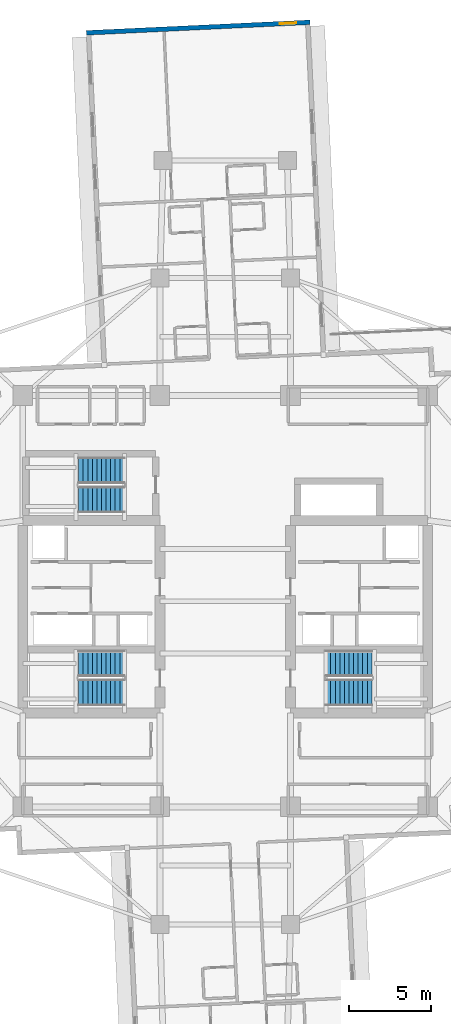
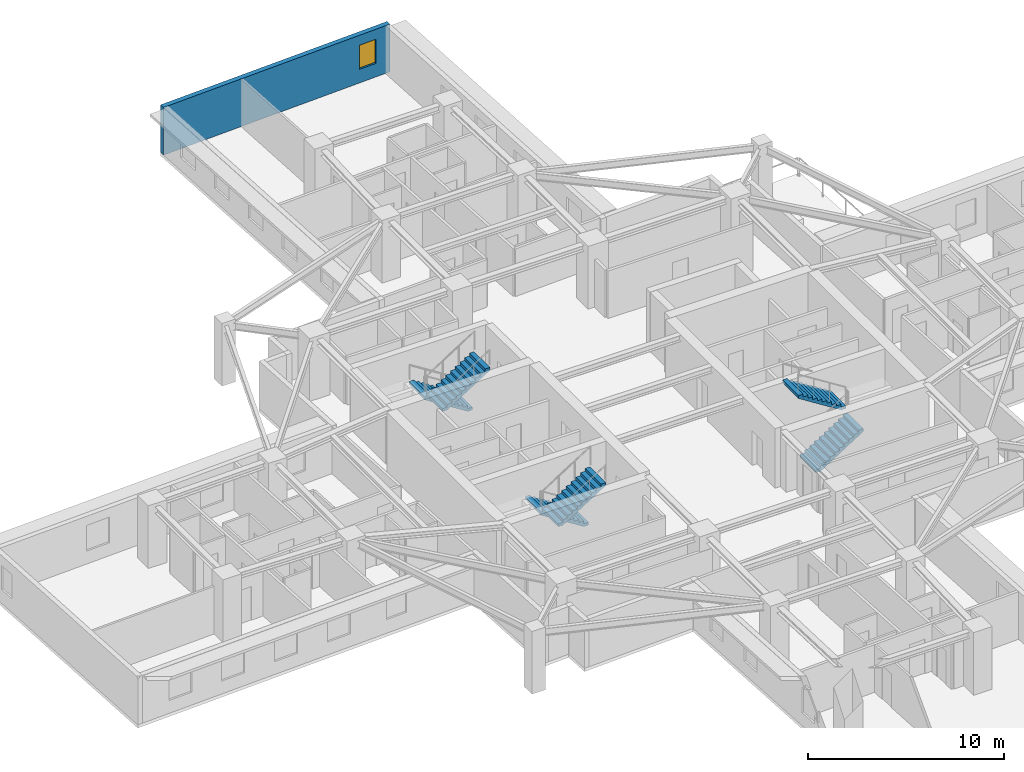
# One storey, part 9 of 14: 6 stair flights, 1 wall, 1 window, 1 opening, 3 elements without a shape of their own.
"""IFC4 building model written with IfcOpenShell, lengths in metres."""

from ifc_helpers import new_model, si_unit, direction, frame, frame_2d, origin, place, context, subcontext, project, spatial, polyline, rectangle, outline, extrude, material, layer, layer_set, type_object, element, fill, aggregate, save


model = new_model("IFC4")

# Units and contexts
model_context = context("Model", 3, precision=1e-05, world=origin(), true_north=direction((0.0, 1.0)))
body_context = subcontext(model_context, "Body", "Model", "MODEL_VIEW")
ifc_project = project(units=[si_unit("LENGTHUNIT", "METRE"), si_unit("AREAUNIT", "SQUARE_METRE"), si_unit("VOLUMEUNIT", "CUBIC_METRE"), si_unit("PLANEANGLEUNIT", "RADIAN"), si_unit("MASSUNIT", "GRAM", prefix="KILO")], contexts=[model_context])

# Site, building, storey
site_placement = place(None, origin())
site = spatial("IfcSite", under=ifc_project, at=site_placement, CompositionType="ELEMENT")
building_placement = place(site_placement, origin())
building = spatial("IfcBuilding", under=site, at=building_placement, Name="Qingluan Cross Belvedere", CompositionType="ELEMENT")
storey_placement = place(building_placement, frame((0.0, 0.0, 132.0)))
storey = spatial("IfcBuildingStorey", under=building, at=storey_placement, Name="L33", CompositionType="ELEMENT", Elevation=132.0)

# Wall, opening, window
ifc_material_1 = material(Name="Precast concrete C45", Category="concrete")
ifc_layer_1 = layer(ifc_material_1, 0.280029296875, Name="PrecastFacadeWall_280")
ifc_layer_set_1 = layer_set([ifc_layer_1], Name="Precast concrete C45")
wall_type = type_object("IfcWallType", Name="PrecastFacadeWall_280", PredefinedType="STANDARD", material=ifc_layer_set_1)
wall_placement = place(storey_placement, frame((5.1953125, 35.464111328125, 0.0), z_axis=(0.0, 0.0, 1.0), x_axis=(-0.998890092147, -0.047101845086, 0.0)))
wall = element("IfcWall", 1, at=wall_placement, inside=storey, type_object=wall_type, Name="Arm tip precast facade wall L33-N", PredefinedType="STANDARD", context=body_context, shape_type="SweptSolid", body=[
    extrude(rectangle(XDim=13.719970703125, YDim=0.280029296875, at=frame_2d((6.85986328125, 0.0))), origin(), (0.0, 0.0, 1.0), 2.969970703125),
])
opening_placement = place(wall_placement, frame((0.85009765625, 0.0, 0.85009765625)))
opening = element("IfcOpeningElement", 2, at=opening_placement, cuts=wall, Name="Opening W-03", PredefinedType="OPENING", context=body_context, shape_type="SweptSolid", body=[
    extrude(rectangle(XDim=1.0, YDim=1.5, at=frame_2d((0.5, 0.75))), frame((0.0, 0.14990234375, 0.0), z_axis=(0.0, -1.0, 0.0), x_axis=(1.0, 0.0, 0.0)), (0.0, 0.0, 1.0), 0.300048828125),
])
ifc_material_2 = material(Name="Thermally broken triple Low-E glass in aluminium frame", Category="aluminium")
window_type = type_object("IfcWindowType", Name="TriApexWin_1000x1500", PartitioningType="SINGLE_PANEL", PredefinedType="WINDOW", material=ifc_material_2)
window_placement = place(opening_placement, origin())
window = element("IfcWindow", 3, at=window_placement, inside=storey, type_object=window_type, Name="Arm tip triangular window L33-N", OverallHeight=1.5, OverallWidth=1.0, PartitioningType="SINGLE_PANEL", PredefinedType="WINDOW", context=body_context, shape_type="SweptSolid", body=[
    extrude(rectangle(XDim=1.0, YDim=1.5, at=frame_2d((0.5, 0.75))), frame((0.0, 0.030029296875, 0.0), z_axis=(0.0, -1.0, 0.0), x_axis=(1.0, 0.0, 0.0)), (0.0, 0.0, 1.0), 0.06005859375),
])
fill(opening, window)

# Stair, stair flights
ifc_material_3 = material(Name="Concrete C40", Category="concrete")
stair_type = type_object("IfcStairType", Name="CoreDoglegStair_1620", PredefinedType="HALF_TURN_STAIR", material=ifc_material_3)
stair_1_placement = place(storey_placement, origin())
stair_1 = element("IfcStair", 4, at=stair_1_placement, inside=storey, type_object=stair_type, Name="L33 ST1", PredefinedType="HALF_TURN_STAIR")
ifc_material_4 = material(Name="Concrete C40", Category="concrete")
ifc_layer_2 = layer(ifc_material_4, 0.179931640625, Name="StairFlight_RC180")
ifc_layer_set_2 = layer_set([ifc_layer_2], Name="Concrete C40")
stair_flight_type = type_object("IfcStairFlightType", Name="StairFlight_RC180", PredefinedType="STRAIGHT", material=ifc_layer_set_2)
stair_flight_1_placement = place(storey_placement, frame((-6.179931640625, -3.81005859375, 0.0), z_axis=(0.0, 0.0, 1.0), x_axis=(-1.0, 0.0, 0.0)))
stair_flight_1 = element("IfcStairFlight", 5, at=stair_flight_1_placement, type_object=stair_flight_type, Name="ST1 flight 1", NumberOfRisers=11, NumberOfTreads=10, PredefinedType="STRAIGHT", RiserHeight=0.177272727, TreadLength=0.28, context=body_context, shape_type="SweptSolid", body=[
    extrude(outline(polyline([(0.0, 0.0), (0.0, 0.17724609375), (0.280029296875, 0.17724609375), (0.280029296875, 0.3544921875), (0.56005859375, 0.3544921875), (0.56005859375, 0.53173828125), (0.840087890625, 0.53173828125), (0.840087890625, 0.708984375), (1.1201171875, 0.708984375), (1.1201171875, 0.886474609375), (1.39990234375, 0.886474609375), (1.39990234375, 1.063720703125), (1.679931640625, 1.063720703125), (1.679931640625, 1.240966796875), (1.9599609375, 1.240966796875), (1.9599609375, 1.418212890625), (2.239990234375, 1.418212890625), (2.239990234375, 1.595458984375), (2.52001953125, 1.595458984375), (2.52001953125, 1.772705078125), (2.800048828125, 1.772705078125), (2.800048828125, 1.949951171875), (2.800048828125, 1.59521484375), (0.2802734375, 0.0), (0.0, 0.0)])), frame((0.0, 0.81005859375, 0.0), z_axis=(0.0, -1.0, 0.0), x_axis=(1.0, 0.0, 0.0)), (0.0, 0.0, 1.0), 1.6201171875),
])
stair_flight_2_placement = place(storey_placement, frame((-8.97998046875, -5.590087890625, 1.949951171875), z_axis=(0.0, 0.0, 1.0), x_axis=(1.0, 0.0, 0.0)))
stair_flight_2 = element("IfcStairFlight", 6, at=stair_flight_2_placement, type_object=stair_flight_type, Name="ST1 flight 2", NumberOfRisers=11, NumberOfTreads=10, PredefinedType="STRAIGHT", RiserHeight=0.177272727, TreadLength=0.28, context=body_context, shape_type="SweptSolid", body=[
    extrude(outline(polyline([(0.0, 0.0), (0.0, 0.17724609375), (0.280029296875, 0.17724609375), (0.280029296875, 0.3544921875), (0.56005859375, 0.3544921875), (0.56005859375, 0.53173828125), (0.840087890625, 0.53173828125), (0.840087890625, 0.708984375), (1.1201171875, 0.708984375), (1.1201171875, 0.886474609375), (1.39990234375, 0.886474609375), (1.39990234375, 1.063720703125), (1.679931640625, 1.063720703125), (1.679931640625, 1.240966796875), (1.9599609375, 1.240966796875), (1.9599609375, 1.418212890625), (2.239990234375, 1.418212890625), (2.239990234375, 1.595458984375), (2.52001953125, 1.595458984375), (2.52001953125, 1.772705078125), (2.800048828125, 1.772705078125), (2.800048828125, 1.949951171875), (2.800048828125, 1.59521484375), (0.2802734375, 0.0), (0.0, 0.0)])), frame((0.0, 0.81005859375, 0.0), z_axis=(0.0, -1.0, 0.0), x_axis=(1.0, 0.0, 0.0)), (0.0, 0.0, 1.0), 1.6201171875),
])
aggregate(stair_1, [stair_flight_1, stair_flight_2])

stair_2_placement = place(storey_placement, origin())
stair_2 = element("IfcStair", 7, at=stair_2_placement, inside=storey, type_object=stair_type, Name="L33 ST2", PredefinedType="HALF_TURN_STAIR")
stair_flight_3_placement = place(storey_placement, frame((6.179931640625, -5.590087890625, 0.0), z_axis=(0.0, 0.0, 1.0), x_axis=(1.0, 0.0, 0.0)))
stair_flight_3 = element("IfcStairFlight", 8, at=stair_flight_3_placement, type_object=stair_flight_type, Name="ST2 flight 1", NumberOfRisers=11, NumberOfTreads=10, PredefinedType="STRAIGHT", RiserHeight=0.177272727, TreadLength=0.28, context=body_context, shape_type="SweptSolid", body=[
    extrude(outline(polyline([(0.0, 0.0), (0.0, 0.17724609375), (0.280029296875, 0.17724609375), (0.280029296875, 0.3544921875), (0.56005859375, 0.3544921875), (0.56005859375, 0.53173828125), (0.840087890625, 0.53173828125), (0.840087890625, 0.708984375), (1.1201171875, 0.708984375), (1.1201171875, 0.886474609375), (1.39990234375, 0.886474609375), (1.39990234375, 1.063720703125), (1.679931640625, 1.063720703125), (1.679931640625, 1.240966796875), (1.9599609375, 1.240966796875), (1.9599609375, 1.418212890625), (2.239990234375, 1.418212890625), (2.239990234375, 1.595458984375), (2.52001953125, 1.595458984375), (2.52001953125, 1.772705078125), (2.800048828125, 1.772705078125), (2.800048828125, 1.949951171875), (2.800048828125, 1.59521484375), (0.2802734375, 0.0), (0.0, 0.0)])), frame((0.0, 0.81005859375, 0.0), z_axis=(0.0, -1.0, 0.0), x_axis=(1.0, 0.0, 0.0)), (0.0, 0.0, 1.0), 1.6201171875),
])
stair_flight_4_placement = place(storey_placement, frame((8.97998046875, -3.81005859375, 1.949951171875), z_axis=(0.0, 0.0, 1.0), x_axis=(-1.0, 0.0, 0.0)))
stair_flight_4 = element("IfcStairFlight", 9, at=stair_flight_4_placement, type_object=stair_flight_type, Name="ST2 flight 2", NumberOfRisers=11, NumberOfTreads=10, PredefinedType="STRAIGHT", RiserHeight=0.177272727, TreadLength=0.28, context=body_context, shape_type="SweptSolid", body=[
    extrude(outline(polyline([(0.0, 0.0), (0.0, 0.17724609375), (0.280029296875, 0.17724609375), (0.280029296875, 0.3544921875), (0.56005859375, 0.3544921875), (0.56005859375, 0.53173828125), (0.840087890625, 0.53173828125), (0.840087890625, 0.708984375), (1.1201171875, 0.708984375), (1.1201171875, 0.886474609375), (1.39990234375, 0.886474609375), (1.39990234375, 1.063720703125), (1.679931640625, 1.063720703125), (1.679931640625, 1.240966796875), (1.9599609375, 1.240966796875), (1.9599609375, 1.418212890625), (2.239990234375, 1.418212890625), (2.239990234375, 1.595458984375), (2.52001953125, 1.595458984375), (2.52001953125, 1.772705078125), (2.800048828125, 1.772705078125), (2.800048828125, 1.949951171875), (2.800048828125, 1.59521484375), (0.2802734375, 0.0), (0.0, 0.0)])), frame((0.0, 0.81005859375, 0.0), z_axis=(0.0, -1.0, 0.0), x_axis=(1.0, 0.0, 0.0)), (0.0, 0.0, 1.0), 1.6201171875),
])
aggregate(stair_2, [stair_flight_3, stair_flight_4])

stair_3_placement = place(storey_placement, origin())
stair_3 = element("IfcStair", 10, at=stair_3_placement, inside=storey, type_object=stair_type, Name="L33 ST3", PredefinedType="HALF_TURN_STAIR")
stair_flight_5_placement = place(storey_placement, frame((-6.179931640625, 8.010009765625, 0.0), z_axis=(0.0, 0.0, 1.0), x_axis=(-1.0, 0.0, 0.0)))
stair_flight_5 = element("IfcStairFlight", 11, at=stair_flight_5_placement, type_object=stair_flight_type, Name="ST3 flight 1", NumberOfRisers=11, NumberOfTreads=10, PredefinedType="STRAIGHT", RiserHeight=0.177272727, TreadLength=0.28, context=body_context, shape_type="SweptSolid", body=[
    extrude(outline(polyline([(0.0, 0.0), (0.0, 0.17724609375), (0.280029296875, 0.17724609375), (0.280029296875, 0.3544921875), (0.56005859375, 0.3544921875), (0.56005859375, 0.53173828125), (0.840087890625, 0.53173828125), (0.840087890625, 0.708984375), (1.1201171875, 0.708984375), (1.1201171875, 0.886474609375), (1.39990234375, 0.886474609375), (1.39990234375, 1.063720703125), (1.679931640625, 1.063720703125), (1.679931640625, 1.240966796875), (1.9599609375, 1.240966796875), (1.9599609375, 1.418212890625), (2.239990234375, 1.418212890625), (2.239990234375, 1.595458984375), (2.52001953125, 1.595458984375), (2.52001953125, 1.772705078125), (2.800048828125, 1.772705078125), (2.800048828125, 1.949951171875), (2.800048828125, 1.59521484375), (0.2802734375, 0.0), (0.0, 0.0)])), frame((0.0, 0.81005859375, 0.0), z_axis=(0.0, -1.0, 0.0), x_axis=(1.0, 0.0, 0.0)), (0.0, 0.0, 1.0), 1.6201171875),
])
stair_flight_6_placement = place(storey_placement, frame((-8.97998046875, 6.22998046875, 1.949951171875), z_axis=(0.0, 0.0, 1.0), x_axis=(1.0, 0.0, 0.0)))
stair_flight_6 = element("IfcStairFlight", 12, at=stair_flight_6_placement, type_object=stair_flight_type, Name="ST3 flight 2", NumberOfRisers=11, NumberOfTreads=10, PredefinedType="STRAIGHT", RiserHeight=0.177272727, TreadLength=0.28, context=body_context, shape_type="SweptSolid", body=[
    extrude(outline(polyline([(0.0, 0.0), (0.0, 0.17724609375), (0.280029296875, 0.17724609375), (0.280029296875, 0.3544921875), (0.56005859375, 0.3544921875), (0.56005859375, 0.53173828125), (0.840087890625, 0.53173828125), (0.840087890625, 0.708984375), (1.1201171875, 0.708984375), (1.1201171875, 0.886474609375), (1.39990234375, 0.886474609375), (1.39990234375, 1.063720703125), (1.679931640625, 1.063720703125), (1.679931640625, 1.240966796875), (1.9599609375, 1.240966796875), (1.9599609375, 1.418212890625), (2.239990234375, 1.418212890625), (2.239990234375, 1.595458984375), (2.52001953125, 1.595458984375), (2.52001953125, 1.772705078125), (2.800048828125, 1.772705078125), (2.800048828125, 1.949951171875), (2.800048828125, 1.59521484375), (0.2802734375, 0.0), (0.0, 0.0)])), frame((0.0, 0.81005859375, 0.0), z_axis=(0.0, -1.0, 0.0), x_axis=(1.0, 0.0, 0.0)), (0.0, 0.0, 1.0), 1.6201171875),
])
aggregate(stair_3, [stair_flight_5, stair_flight_6])

save(model, "model.ifc")
